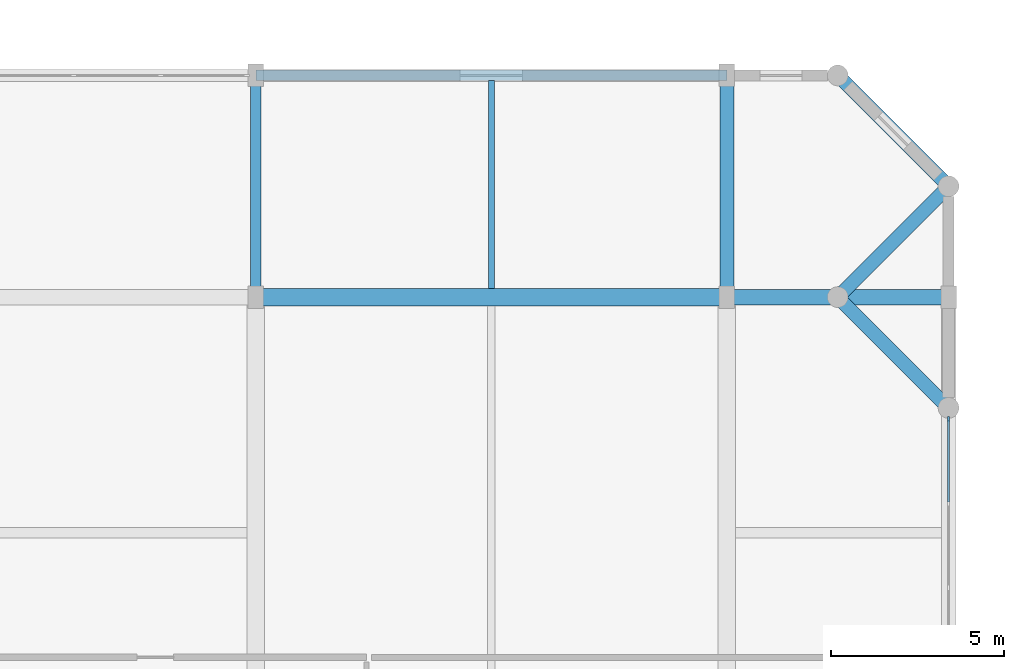
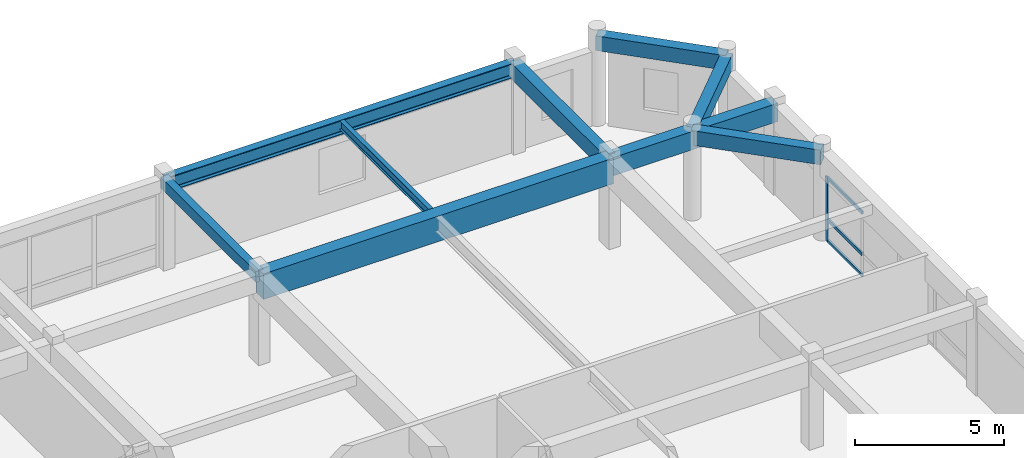
# One storey, part 7 of 13: 9 beams, 4 members, 1 element without a shape of its own.
"""IFC4 building model written with IfcOpenShell, lengths in metres."""

from ifc_helpers import new_model, si_unit, direction, frame, origin, origin_2d, place, context, subcontext, project, spatial, rectangle, i_section, extrude, material, material_profile, profile_set, type_object, element, aggregate, save


model = new_model("IFC4")

# Units and contexts
model_context = context("Model", 3, precision=1e-05, world=origin(), true_north=direction((0.0, 1.0)))
body_context = subcontext(model_context, "Body", "Model", "MODEL_VIEW")
ifc_project = project(units=[si_unit("LENGTHUNIT", "METRE"), si_unit("AREAUNIT", "SQUARE_METRE"), si_unit("VOLUMEUNIT", "CUBIC_METRE"), si_unit("PLANEANGLEUNIT", "RADIAN"), si_unit("MASSUNIT", "GRAM", prefix="KILO")], contexts=[model_context])

# Site, building, storey
site_placement = place(None, origin())
site = spatial("IfcSite", under=ifc_project, at=site_placement, CompositionType="ELEMENT")
building_placement = place(site_placement, origin())
building = spatial("IfcBuilding", under=site, at=building_placement, Name="Vellmiral Cinema and Media Centre", CompositionType="ELEMENT")
storey_placement = place(building_placement, frame((0.0, 0.0, 58.699951171875)))
storey = spatial("IfcBuildingStorey", under=building, at=storey_placement, Name="L14", CompositionType="ELEMENT", Elevation=58.699951171875)

# Beams
ifc_material_1 = material(Name="Concrete C40/50", Category="concrete")
ifc_material_profile_1 = material_profile(ifc_material_1, rectangle(XDim=0.300048828125, YDim=0.449951171875, at=origin_2d()), Name="RC 300x450")
ifc_profile_set_1 = profile_set([ifc_material_profile_1], Name="Concrete C40/50")
beam_type_1 = type_object("IfcBeamType", Name="BM-RC-300x450", PredefinedType="BEAM", material=ifc_profile_set_1)
beam_1_placement = place(storey_placement, frame((148.0, 108.800048828125, 3.420166015625), z_axis=(0.0, 1.0, 0.0), x_axis=(-1.0, 0.0, 0.0)))
element("IfcBeam", 1, at=beam_1_placement, inside=storey, type_object=beam_type_1, Name="Grid Beam L14-Y060", PredefinedType="BEAM", context=body_context, shape_type="SweptSolid", body=[
    extrude(rectangle(XDim=0.300048828125, YDim=0.449951171875, at=origin_2d()), origin(), (0.0, 0.0, 1.0), 6.39990234375),
])
ifc_material_2 = material(Name="Concrete C40/50", Category="concrete")
ifc_material_profile_2 = material_profile(ifc_material_2, rectangle(XDim=0.39990234375, YDim=0.64990234375, at=origin_2d()), Name="RC 400x650")
ifc_profile_set_2 = profile_set([ifc_material_profile_2], Name="Concrete C40/50")
beam_type_2 = type_object("IfcBeamType", Name="BM-RC-400x650", PredefinedType="BEAM", material=ifc_profile_set_2)
beam_2_placement = place(storey_placement, frame((161.60009765625, 108.800048828125, 3.320068359375), z_axis=(0.0, 1.0, 0.0), x_axis=(-1.0, 0.0, 0.0)))
element("IfcBeam", 2, at=beam_2_placement, inside=storey, type_object=beam_type_2, Name="Grid Beam L14-Y065", PredefinedType="BEAM", context=body_context, shape_type="SweptSolid", body=[
    extrude(rectangle(XDim=0.39990234375, YDim=0.64990234375, at=origin_2d()), origin(), (0.0, 0.0, 1.0), 6.39990234375),
])
ifc_material_3 = material(Name="Concrete C40/50", Category="concrete")
ifc_material_profile_3 = material_profile(ifc_material_3, rectangle(XDim=0.449951171875, YDim=0.75, at=origin_2d()), Name="RC 450x750")
ifc_profile_set_3 = profile_set([ifc_material_profile_3], Name="Concrete C40/50")
beam_type_3 = type_object("IfcBeamType", Name="BM-RC-450x750", PredefinedType="BEAM", material=ifc_profile_set_3)
beam_3_placement = place(storey_placement, frame((161.60009765625, 108.800048828125, 3.27001953125), z_axis=(1.0, 0.0, 0.0), x_axis=(0.0, 1.0, 0.0)))
element("IfcBeam", 3, at=beam_3_placement, inside=storey, type_object=beam_type_3, Name="Grid Beam L14-X030", PredefinedType="BEAM", context=body_context, shape_type="SweptSolid", body=[
    extrude(rectangle(XDim=0.449951171875, YDim=0.75, at=origin_2d()), origin(), (0.0, 0.0, 1.0), 6.39990234375),
])
ifc_material_4 = material(Name="Concrete C40/50", Category="concrete")
ifc_material_profile_4 = material_profile(ifc_material_4, rectangle(XDim=0.5, YDim=1.050048828125, at=origin_2d()), Name="RC 500x1050")
ifc_profile_set_4 = profile_set([ifc_material_profile_4], Name="Concrete C40/50")
beam_type_4 = type_object("IfcBeamType", Name="BM-RCG-500x1050", PredefinedType="BEAM", material=ifc_profile_set_4)
beam_4_placement = place(storey_placement, frame((148.0, 108.800048828125, 3.1201171875), z_axis=(1.0, 0.0, 0.0), x_axis=(0.0, 1.0, 0.0)))
element("IfcBeam", 4, at=beam_4_placement, inside=storey, type_object=beam_type_4, Name="Grid Beam L14-X029", PredefinedType="BEAM", context=body_context, shape_type="SweptSolid", body=[
    extrude(rectangle(XDim=0.5, YDim=1.050048828125, at=origin_2d()), origin(), (0.0, 0.0, 1.0), 13.60009765625),
])

# Curtain wall, members
ifc_material_5 = material(Name="Thermally Broken Aluminium and Triple Glazing", Category="aluminium")
curtain_wall_type = type_object("IfcCurtainWallType", Name="CW-TOWER-MID-E", PredefinedType="USERDEFINED", material=ifc_material_5)
curtain_wall_placement = place(storey_placement, origin())
curtain_wall = element("IfcCurtainWall", 5, at=curtain_wall_placement, inside=storey, type_object=curtain_wall_type, Name="Curtain Wall L14-B013", ObjectType="UNITISED CURTAIN WALL", PredefinedType="USERDEFINED")
ifc_material_6 = material(Name="Thermally Broken Anodised Aluminium", Category="aluminium")
ifc_material_profile_5 = material_profile(ifc_material_6, rectangle(XDim=0.06494140625, YDim=0.159912109375, at=origin_2d()), Name="MULL 65x160")
ifc_profile_set_5 = profile_set([ifc_material_profile_5], Name="Thermally Broken Anodised Aluminium")
member_type_1 = type_object("IfcMemberType", Name="CWM-65x160", PredefinedType="MULLION", material=ifc_profile_set_5)
member_1_placement = place(storey_placement, frame((168.0, 105.267578125, 0.0), z_axis=(0.0, 0.0, 1.0), x_axis=(-1.0, 0.0, 0.0)))
member_1 = element("IfcMember", 6, at=member_1_placement, type_object=member_type_1, Name="CW-07 mullion 5", PredefinedType="MULLION", context=body_context, shape_type="SweptSolid", body=[
    extrude(rectangle(XDim=0.06494140625, YDim=0.159912109375, at=origin_2d()), origin(), (0.0, 0.0, 1.0), 2.635009765625),
])
ifc_material_7 = material(Name="Thermally Broken Anodised Aluminium", Category="aluminium")
ifc_material_profile_6 = material_profile(ifc_material_7, rectangle(XDim=0.06494140625, YDim=0.135009765625, at=origin_2d()), Name="MULL 65x135")
ifc_profile_set_6 = profile_set([ifc_material_profile_6], Name="Thermally Broken Anodised Aluminium")
member_type_2 = type_object("IfcMemberType", Name="CWT-65x135", PredefinedType="USERDEFINED", material=ifc_profile_set_6)
member_2_placement = place(storey_placement, frame((168.0, 102.888671875, 0.032470703125), z_axis=(0.0, 1.0, 0.0), x_axis=(-1.0, 0.0, 0.0)))
member_2 = element("IfcMember", 7, at=member_2_placement, type_object=member_type_2, Name="CW-07 transom 4.1", ObjectType="TRANSOM", PredefinedType="USERDEFINED", context=body_context, shape_type="SweptSolid", body=[
    extrude(rectangle(XDim=0.06494140625, YDim=0.135009765625, at=origin_2d()), origin(), (0.0, 0.0, 1.0), 2.346435546875),
])
member_3_placement = place(storey_placement, frame((168.0, 102.888671875, 0.900146484375), z_axis=(0.0, 1.0, 0.0), x_axis=(-1.0, 0.0, 0.0)))
member_3 = element("IfcMember", 8, at=member_3_placement, type_object=member_type_2, Name="CW-07 transom 4.2", ObjectType="TRANSOM", PredefinedType="USERDEFINED", context=body_context, shape_type="SweptSolid", body=[
    extrude(rectangle(XDim=0.06494140625, YDim=0.135009765625, at=origin_2d()), origin(), (0.0, 0.0, 1.0), 2.346435546875),
])
member_4_placement = place(storey_placement, frame((168.0, 102.888671875, 2.6025390625), z_axis=(0.0, 1.0, 0.0), x_axis=(-1.0, 0.0, 0.0)))
member_4 = element("IfcMember", 9, at=member_4_placement, type_object=member_type_2, Name="CW-07 transom 4.3", ObjectType="TRANSOM", PredefinedType="USERDEFINED", context=body_context, shape_type="SweptSolid", body=[
    extrude(rectangle(XDim=0.06494140625, YDim=0.135009765625, at=origin_2d()), origin(), (0.0, 0.0, 1.0), 2.346435546875),
])
aggregate(curtain_wall, [member_1, member_2, member_3, member_4])

# Beams
ifc_material_8 = material(Name="Steel S355", Category="steel")
ifc_material_profile_7 = material_profile(ifc_material_8, i_section(OverallWidth=0.300048828125, OverallDepth=0.60009765625, WebThickness=0.015380859375, FlangeThickness=0.030029296875, FilletRadius=0.027099609375, at=origin_2d()), Name="HEB 600")
ifc_profile_set_7 = profile_set([ifc_material_profile_7], Name="Steel S355")
beam_type_5 = type_object("IfcBeamType", Name="SBM-HEB600-SPD", PredefinedType="SPANDREL", material=ifc_profile_set_7)
beam_5_placement = place(storey_placement, frame((148.0, 115.199951171875, 3.344970703125), z_axis=(1.0, 0.0, 0.0), x_axis=(0.0, 1.0, 0.0)))
element("IfcBeam", 10, at=beam_5_placement, inside=storey, type_object=beam_type_5, Name="Grid Beam L14-X035", PredefinedType="SPANDREL", context=body_context, shape_type="SweptSolid", body=[
    extrude(i_section(OverallWidth=0.300048828125, OverallDepth=0.60009765625, WebThickness=0.015380859375, FlangeThickness=0.030029296875, FilletRadius=0.027099609375, at=origin_2d()), origin(), (0.0, 0.0, 1.0), 13.60009765625),
])
ifc_material_9 = material(Name="Steel S355", Category="steel")
ifc_material_profile_8 = material_profile(ifc_material_9, i_section(OverallWidth=0.169921875, OverallDepth=0.360107421875, WebThickness=0.008056640625, FlangeThickness=0.0126953125, FilletRadius=0.01806640625, at=origin_2d()), Name="IPE 360")
ifc_profile_set_8 = profile_set([ifc_material_profile_8], Name="Steel S355")
beam_type_6 = type_object("IfcBeamType", Name="SBM-IPE360", PredefinedType="JOIST", material=ifc_profile_set_8)
beam_6_placement = place(storey_placement, frame((154.800048828125, 109.050048828125, 3.465087890625), z_axis=(0.0, 1.0, 0.0), x_axis=(-1.0, 0.0, 0.0)))
element("IfcBeam", 11, at=beam_6_placement, inside=storey, type_object=beam_type_6, Name="Secondary Floor Joist L14-009", PredefinedType="JOIST", context=body_context, shape_type="SweptSolid", body=[
    extrude(i_section(OverallWidth=0.169921875, OverallDepth=0.360107421875, WebThickness=0.008056640625, FlangeThickness=0.0126953125, FilletRadius=0.01806640625, at=origin_2d()), origin(), (0.0, 0.0, 1.0), 6.0),
])
ifc_material_10 = material(Name="Concrete C40/50", Category="concrete")
ifc_material_profile_9 = material_profile(ifc_material_10, rectangle(XDim=0.39990234375, YDim=0.60009765625, at=origin_2d()), Name="RC 400x600")
ifc_profile_set_9 = profile_set([ifc_material_profile_9], Name="Concrete C40/50")
beam_type_7 = type_object("IfcBeamType", Name="SPD-RC-400x600", PredefinedType="SPANDREL", material=ifc_profile_set_9)
for number, where, z_axis, x_axis, name in (
    (12, (164.800048828125, 108.800048828125, 3.344970703125), (0.707106781187, -0.707106781187, 0.0), (0.707106781187, 0.707106781187, 0.0), "Xamfra Chamfer Spandrel Beam L14-073"),
    (13, (164.800048828125, 108.800048828125, 3.344970703125), (0.707106781187, 0.707106781187, 0.0), (-0.707106781187, 0.707106781187, 0.0), "Xamfra Chamfer Spandrel Beam L14-074"),
    (14, (164.800048828125, 115.199951171875, 3.344970703125), (0.707106781187, -0.707106781187, 0.0), (0.707106781187, 0.707106781187, 0.0), "Xamfra Chamfer Spandrel Beam L14-075"),
):
    element("IfcBeam", number, at=place(storey_placement, frame(where, z_axis=z_axis, x_axis=x_axis)), inside=storey, type_object=beam_type_7, Name=name, PredefinedType="SPANDREL", context=body_context, shape_type="SweptSolid", body=[
        extrude(rectangle(XDim=0.39990234375, YDim=0.60009765625, at=origin_2d()), origin(), (0.0, 0.0, 1.0), 4.525390625),
    ])

save(model, "model.ifc")
